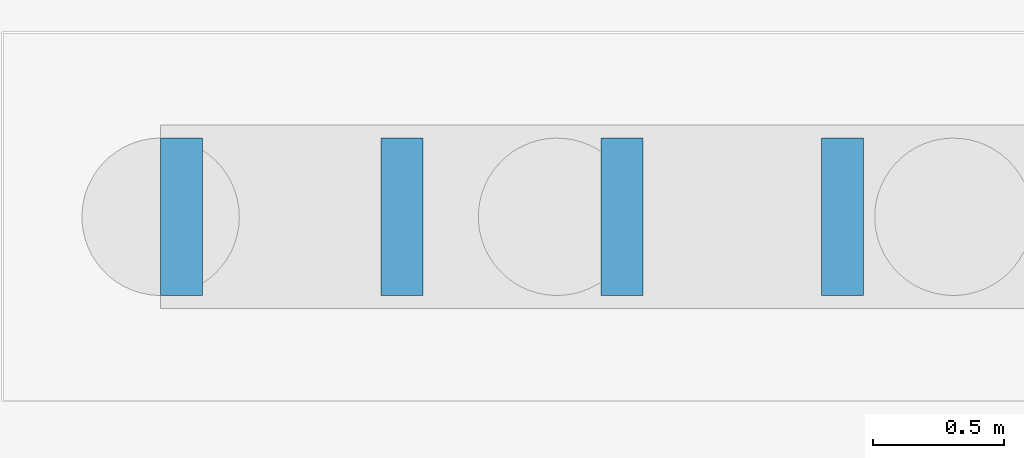
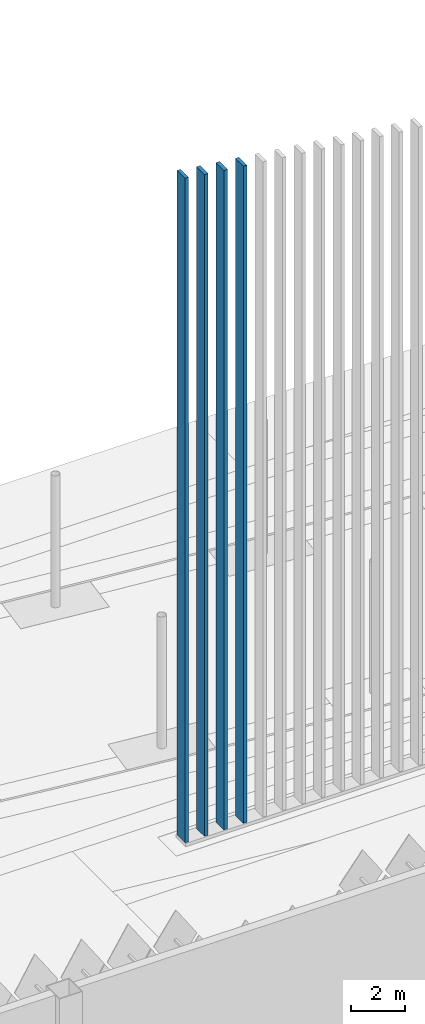
# One storey, part 45 of 198: 4 members.
"""IFC4 building model written with IfcOpenShell, lengths in metres."""

from ifc_helpers import new_model, si_unit, direction, frame, origin, origin_2d, place, context, subcontext, project, spatial, rectangle, extrude, material, material_profile, profile_set, type_object, element, save


model = new_model("IFC4")

# Units and contexts
model_context = context("Model", 3, precision=1e-05, world=origin(), true_north=direction((0.0, 1.0)))
body_context = subcontext(model_context, "Body", "Model", "MODEL_VIEW")
ifc_project = project(units=[si_unit("LENGTHUNIT", "METRE"), si_unit("AREAUNIT", "SQUARE_METRE"), si_unit("VOLUMEUNIT", "CUBIC_METRE"), si_unit("PLANEANGLEUNIT", "RADIAN"), si_unit("MASSUNIT", "GRAM", prefix="KILO")], contexts=[model_context])

# Site, building, storey
site_placement = place(None, origin())
site = spatial("IfcSite", under=ifc_project, at=site_placement, CompositionType="ELEMENT")
building_placement = place(site_placement, origin())
building = spatial("IfcBuilding", under=site, at=building_placement, Name="Opaline Strait Convention Centre", CompositionType="ELEMENT")
storey_placement = place(building_placement, origin())
storey = spatial("IfcBuildingStorey", under=building, at=storey_placement, Name="L00", CompositionType="ELEMENT", Elevation=0.0)

# Members
ifc_material = material(Name="Steel Q355B", Category="steel")
ifc_material_profile = material_profile(ifc_material, rectangle(XDim=0.159912109375, YDim=0.60009765625, at=origin_2d()), Name="BAR 160x600")
ifc_profile_set = profile_set([ifc_material_profile], Name="Steel Q355B")
member_type = type_object("IfcMemberType", Name="Entrance blade 160x600 steel", PredefinedType="USERDEFINED", material=ifc_profile_set)
member_1_placement = place(storey_placement, frame((129.89990234375, 166.5, 0.14990234375), z_axis=(0.0, 0.0, 1.0), x_axis=(1.0, 0.0, 0.0)))
element("IfcMember", 1, at=member_1_placement, inside=storey, type_object=member_type, Name="Entrance blade W01", ObjectType="BLADE", PredefinedType="USERDEFINED", context=body_context, shape_type="SweptSolid", body=[
    extrude(rectangle(XDim=0.159912109375, YDim=0.60009765625, at=origin_2d()), origin(), (0.0, 0.0, 1.0), 30.291748046875),
])
member_2_placement = place(storey_placement, frame((130.739990234375, 166.5, 0.14990234375), z_axis=(0.0, 0.0, 1.0), x_axis=(1.0, 0.0, 0.0)))
element("IfcMember", 2, at=member_2_placement, inside=storey, type_object=member_type, Name="Entrance blade W02", ObjectType="BLADE", PredefinedType="USERDEFINED", context=body_context, shape_type="SweptSolid", body=[
    extrude(rectangle(XDim=0.159912109375, YDim=0.60009765625, at=origin_2d()), origin(), (0.0, 0.0, 1.0), 30.160888671875),
])
member_3_placement = place(storey_placement, frame((131.580078125, 166.5, 0.14990234375), z_axis=(0.0, 0.0, 1.0), x_axis=(1.0, 0.0, 0.0)))
element("IfcMember", 3, at=member_3_placement, inside=storey, type_object=member_type, Name="Entrance blade W03", ObjectType="BLADE", PredefinedType="USERDEFINED", context=body_context, shape_type="SweptSolid", body=[
    extrude(rectangle(XDim=0.159912109375, YDim=0.60009765625, at=origin_2d()), origin(), (0.0, 0.0, 1.0), 30.0595703125),
])
member_4_placement = place(storey_placement, frame((132.419921875, 166.5, 0.14990234375), z_axis=(0.0, 0.0, 1.0), x_axis=(1.0, 0.0, 0.0)))
element("IfcMember", 4, at=member_4_placement, inside=storey, type_object=member_type, Name="Entrance blade W04", ObjectType="BLADE", PredefinedType="USERDEFINED", context=body_context, shape_type="SweptSolid", body=[
    extrude(rectangle(XDim=0.159912109375, YDim=0.60009765625, at=origin_2d()), origin(), (0.0, 0.0, 1.0), 29.9580078125),
])

save(model, "model.ifc")
